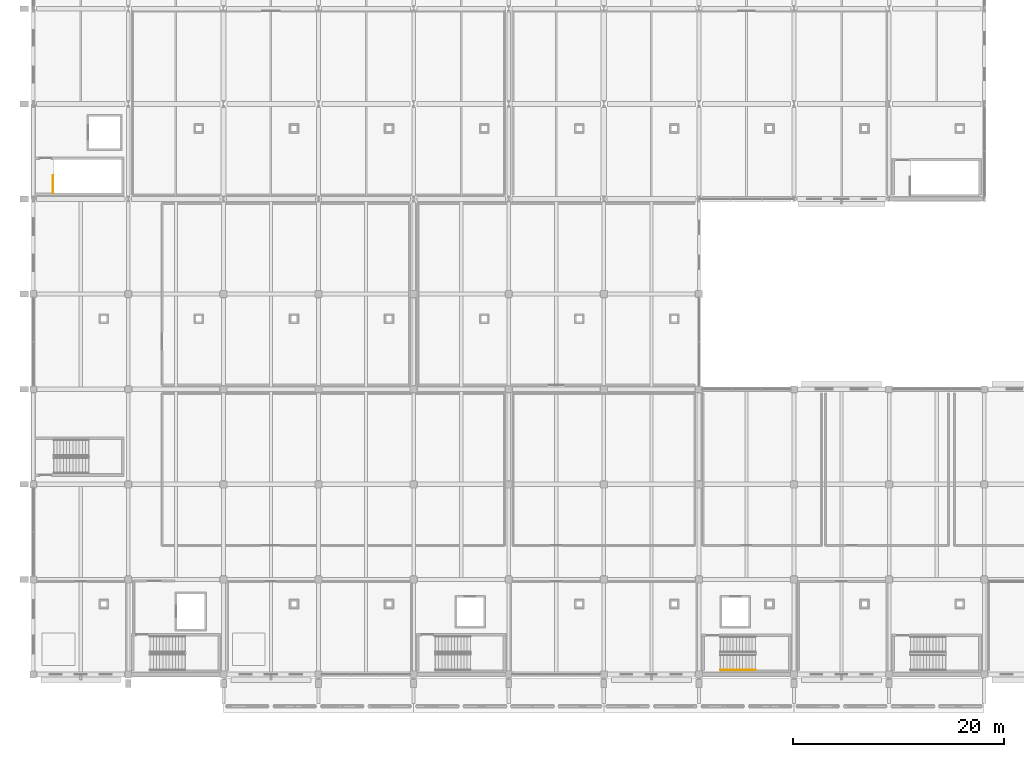
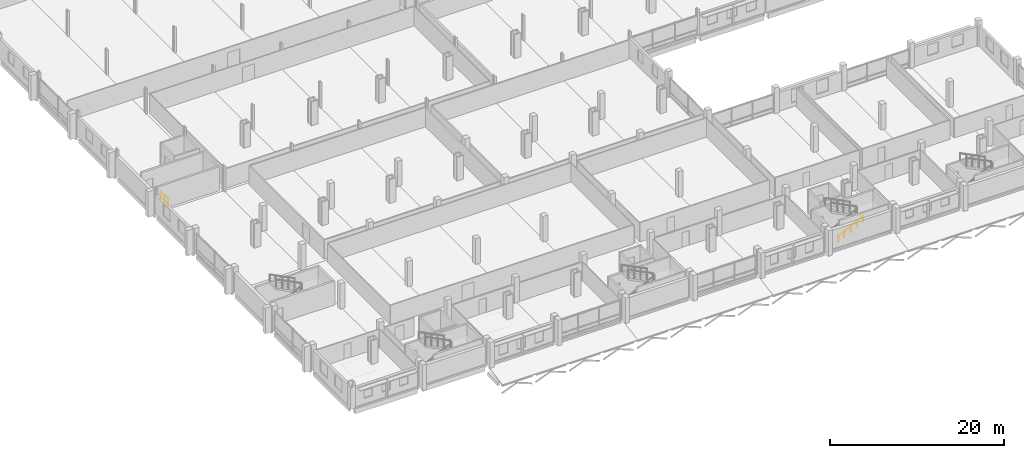
# One storey, part 121 of 132: 2 railings.
"""IFC4 building model written with IfcOpenShell, lengths in metres."""

from ifc_helpers import new_model, si_unit, direction, frame, origin, origin_2d, place, context, subcontext, project, spatial, circle, extrude, material, type_object, element, save


model = new_model("IFC4")

# Units and contexts
model_context = context("Model", 3, precision=1e-05, world=origin(), true_north=direction((0.0, 1.0)))
body_context = subcontext(model_context, "Body", "Model", "MODEL_VIEW")
ifc_project = project(units=[si_unit("LENGTHUNIT", "METRE"), si_unit("AREAUNIT", "SQUARE_METRE"), si_unit("VOLUMEUNIT", "CUBIC_METRE"), si_unit("PLANEANGLEUNIT", "RADIAN"), si_unit("MASSUNIT", "GRAM", prefix="KILO")], contexts=[model_context])

# Site, building, storey
site_placement = place(None, origin())
site = spatial("IfcSite", under=ifc_project, at=site_placement, CompositionType="ELEMENT")
building_placement = place(site_placement, origin())
building = spatial("IfcBuilding", under=site, at=building_placement, Name="Tharagai Park Tramway Depot", CompositionType="ELEMENT")
storey_placement = place(building_placement, frame((0.0, 0.0, 4.800048828125)))
storey = spatial("IfcBuildingStorey", under=building, at=storey_placement, Name="L01", CompositionType="ELEMENT", Elevation=4.800048828125)

# Railings
ifc_material = material(Name="Galvanised steel", Category="steel")
railing_type_1 = type_object("IfcRailingType", Name="HR-02", PredefinedType="GUARDRAIL", material=ifc_material)
railing_1_placement = place(storey_placement, frame((1.8701171875, 45.550048828125, 0.0)))
element("IfcRailing", 1, at=railing_1_placement, inside=storey, type_object=railing_type_1, Name="L01 ST-08 top well guard 1", PredefinedType="GUARDRAIL", context=body_context, shape_type="SweptSolid", body=[
    extrude(circle(Radius=0.02392578125, at=origin_2d()), frame((0.0, 0.0, 1.076171875), z_axis=(0.0, 1.0, 0.0), x_axis=(-1.0, 0.0, 0.0)), (0.0, 0.0, 1.0), 1.669921875),
    extrude(circle(Radius=0.02099609375, at=origin_2d()), origin(), (0.0, 0.0, 1.0), 1.052001953125),
    extrude(circle(Radius=0.02099609375, at=origin_2d()), frame((0.0, 0.8349609375, 0.0)), (0.0, 0.0, 1.0), 1.052001953125),
    extrude(circle(Radius=0.02099609375, at=origin_2d()), frame((0.0, 1.669921875, 0.0)), (0.0, 0.0, 1.0), 1.052001953125),
])
railing_type_2 = type_object("IfcRailingType", Name="HR-03", PredefinedType="HANDRAIL", material=ifc_material)
railing_2_placement = place(storey_placement, frame((65.0400390625, 0.449951171875, 0.14990234375)))
element("IfcRailing", 2, at=railing_2_placement, inside=storey, type_object=railing_type_2, Name="L01 ST-04 stair handrail 1", PredefinedType="HANDRAIL", context=body_context, shape_type="SweptSolid", body=[
    extrude(circle(Radius=0.02392578125, at=origin_2d()), frame((0.0, 0.0, 0.8759765625), z_axis=(0.894413956696, 0.0, 0.447240063129), x_axis=(0.0, 1.0, 0.0)), (0.0, 0.0, 1.0), 3.689697265625),
    extrude(circle(Radius=0.02099609375, at=origin_2d()), origin(), (0.0, 0.0, 1.0), 0.851806640625),
    extrude(circle(Radius=0.02099609375, at=origin_2d()), frame((0.824951171875, 0.0, 0.41259765625)), (0.0, 0.0, 1.0), 0.851806640625),
    extrude(circle(Radius=0.02099609375, at=origin_2d()), frame((1.64990234375, 0.0, 0.8251953125)), (0.0, 0.0, 1.0), 0.851806640625),
    extrude(circle(Radius=0.02099609375, at=origin_2d()), frame((2.47509765625, 0.0, 1.237548828125)), (0.0, 0.0, 1.0), 0.851806640625),
    extrude(circle(Radius=0.02099609375, at=origin_2d()), frame((3.300048828125, 0.0, 1.650146484375)), (0.0, 0.0, 1.0), 0.851806640625),
])

save(model, "model.ifc")
